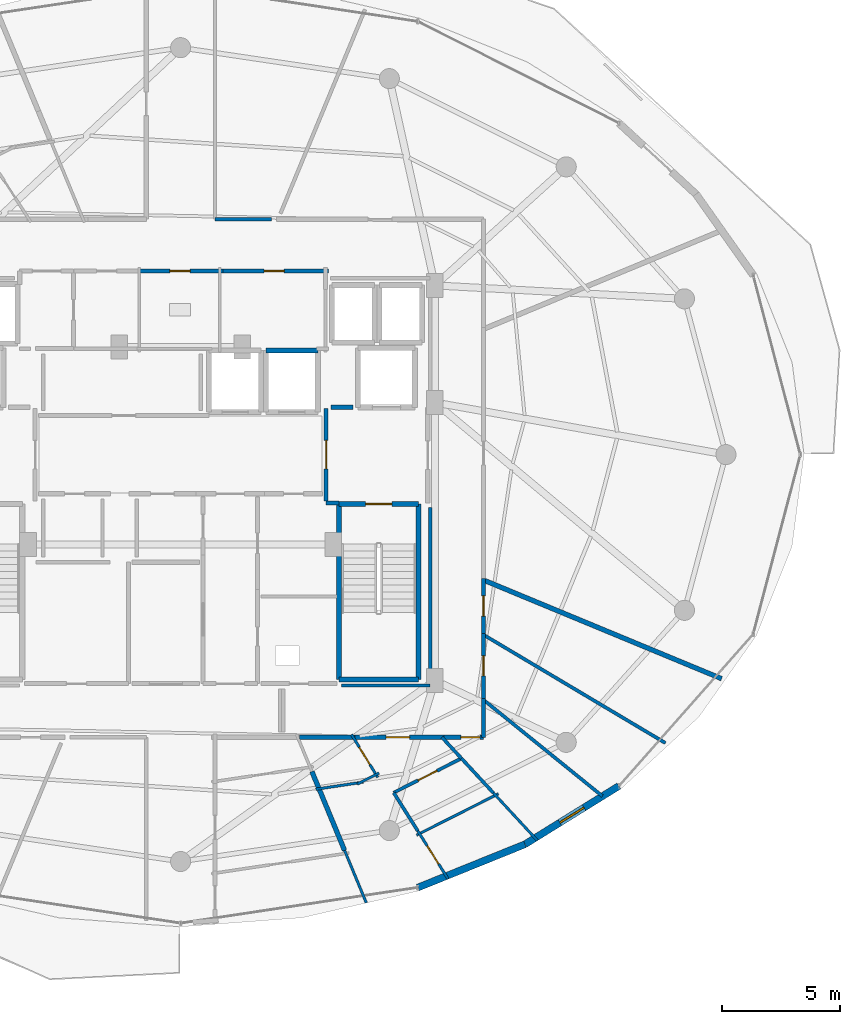
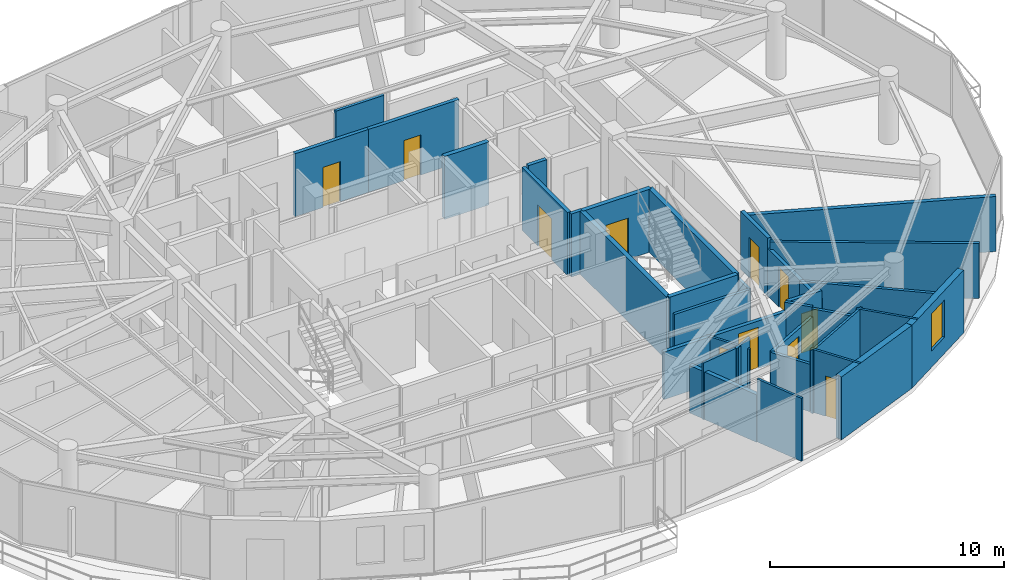
# One storey, part 25 of 30: 36 walls, 11 doors, 1 window, 12 openings.
"""IFC4 building model written with IfcOpenShell, lengths in metres."""

from ifc_helpers import new_model, si_unit, direction, frame, frame_2d, origin, place, context, subcontext, project, spatial, rectangle, extrude, material, layer, layer_set, type_object, element, fill, save


model = new_model("IFC4")

# Units and contexts
model_context = context("Model", 3, precision=1e-05, world=origin(), true_north=direction((0.0, 1.0)))
body_context = subcontext(model_context, "Body", "Model", "MODEL_VIEW")
ifc_project = project(units=[si_unit("LENGTHUNIT", "METRE"), si_unit("AREAUNIT", "SQUARE_METRE"), si_unit("VOLUMEUNIT", "CUBIC_METRE"), si_unit("PLANEANGLEUNIT", "RADIAN"), si_unit("MASSUNIT", "GRAM", prefix="KILO")], contexts=[model_context])

# Site, building, storey
site_placement = place(None, origin())
site = spatial("IfcSite", under=ifc_project, at=site_placement, CompositionType="ELEMENT")
building_placement = place(site_placement, origin())
building = spatial("IfcBuilding", under=site, at=building_placement, Name="Vorneva Point Tower", CompositionType="ELEMENT")
storey_placement = place(building_placement, frame((0.0, 0.0, 252.0)))
storey = spatial("IfcBuildingStorey", under=building, at=storey_placement, Name="L68", CompositionType="ELEMENT", Elevation=252.0)

# Wall
ifc_material_1 = material(Name="Precast concrete B50 (C40/50)", Category="concrete")
ifc_layer_1 = layer(ifc_material_1, 0.300048828125)
ifc_layer_set_1 = layer_set([ifc_layer_1], Name="Precast concrete B50 (C40/50)")
wall_type_1 = type_object("IfcWallType", Name="WL-EXT-300", PredefinedType="STANDARD", material=ifc_layer_set_1)
wall_1_placement = place(storey_placement, frame((48.0263671875, 7.697998046875, 0.0), z_axis=(0.0, 0.0, 1.0), x_axis=(0.927147375511, 0.374696869594, 0.0)))
element("IfcWall", 1, at=wall_1_placement, inside=storey, type_object=wall_type_1, Name="L68 Pale-Metal Facade Spandrel Wall 14.1", PredefinedType="STANDARD", context=body_context, shape_type="SweptSolid", body=[
    extrude(rectangle(XDim=4.885498046875, YDim=0.300048828125, at=frame_2d((2.44287109375, 0.0))), origin(), (0.0, 0.0, 1.0), 3.2900390625),
])

# Wall, opening, window
wall_2_placement = place(storey_placement, frame((52.555908203125, 9.528564453125, 0.0), z_axis=(0.0, 0.0, 1.0), x_axis=(0.849702323036, 0.527262707032, 0.0)))
wall_2 = element("IfcWall", 2, at=wall_2_placement, inside=storey, type_object=wall_type_1, Name="L68 Pale-Metal Facade Spandrel Wall 14.2", PredefinedType="STANDARD", context=body_context, shape_type="SweptSolid", body=[
    extrude(rectangle(XDim=4.67236328125, YDim=0.300048828125, at=frame_2d((2.336181640625, 0.0))), origin(), (0.0, 0.0, 1.0), 3.2900390625),
])
opening_1_placement = place(wall_2_placement, frame((1.736328125, 0.0, 0.85009765625)))
opening_1 = element("IfcOpeningElement", 3, at=opening_1_placement, cuts=wall_2, Name="Opening W-04", PredefinedType="OPENING", context=body_context, shape_type="SweptSolid", body=[
    extrude(rectangle(XDim=1.199951171875, YDim=1.949951171875, at=frame_2d((0.60009765625, 0.97509765625))), frame((0.0, 0.1650390625, 0.0), z_axis=(0.0, -1.0, 0.0), x_axis=(1.0, 0.0, 0.0)), (0.0, 0.0, 1.0), 0.329833984375),
])
ifc_material_2 = material(Name="Double low-e laminated glass IGU", Category="glass")
window_type = type_object("IfcWindowType", Name="WN-RES-1200", PartitioningType="SINGLE_PANEL", PredefinedType="WINDOW", material=ifc_material_2)
window_placement = place(opening_1_placement, origin())
window = element("IfcWindow", 4, at=window_placement, inside=storey, type_object=window_type, Name="L68 Dwelling Vision Window 04", OverallHeight=1.949951171875, OverallWidth=1.199951171875, PartitioningType="SINGLE_PANEL", PredefinedType="WINDOW", context=body_context, shape_type="SweptSolid", body=[
    extrude(rectangle(XDim=1.199951171875, YDim=1.949951171875, at=frame_2d((0.60009765625, 0.97509765625))), frame((0.0, 0.030029296875, 0.0), z_axis=(0.0, -1.0, 0.0), x_axis=(1.0, 0.0, 0.0)), (0.0, 0.0, 1.0), 0.06005859375),
])
fill(opening_1, window)

# Wall
ifc_material_3 = material(Name="Fire-rated acoustic gypsum stud partition", Category="gypsum")
ifc_layer_2 = layer(ifc_material_3, 0.110107421875)
ifc_layer_set_2 = layer_set([ifc_layer_2], Name="Fire-rated acoustic gypsum stud partition")
wall_type_2 = type_object("IfcWallType", Name="WL-PART-110", PredefinedType="PARTITIONING", material=ifc_layer_set_2)
wall_3_placement = place(storey_placement, frame((44.929443359375, 9.271240234375, 0.0), z_axis=(0.0, 0.0, 1.0), x_axis=(0.382798716902, -0.923831771665, 0.0)))
element("IfcWall", 5, at=wall_3_placement, inside=storey, type_object=wall_type_2, Name="L68 Interior Partition 108", PredefinedType="PARTITIONING", context=body_context, shape_type="SweptSolid", body=[
    extrude(rectangle(XDim=2.396240234375, YDim=0.110107421875, at=frame_2d((1.1982421875, 0.0))), origin(), (0.0, 0.0, 1.0), 3.2900390625),
])

# Wall, opening, door
wall_4_placement = place(storey_placement, frame((45.22412109375, 14.16943359375, 0.0), z_axis=(0.0, 0.0, 1.0), x_axis=(0.52123627541, -0.853412412141, 0.0)))
wall_4 = element("IfcWall", 6, at=wall_4_placement, inside=storey, type_object=wall_type_2, Name="L68 Interior Partition 111", PredefinedType="PARTITIONING", context=body_context, shape_type="SweptSolid", body=[
    extrude(rectangle(XDim=2.12548828125, YDim=0.110107421875, at=frame_2d((1.062744140625, 0.0))), origin(), (0.0, 0.0, 1.0), 2.48193359375),
])
opening_2_placement = place(wall_4_placement, frame((0.6376953125, 0.0, 0.0)))
opening_2 = element("IfcOpeningElement", 7, at=opening_2_placement, cuts=wall_4, Name="Opening ID-02", PredefinedType="OPENING", context=body_context, shape_type="SweptSolid", body=[
    extrude(rectangle(XDim=0.85009765625, YDim=2.10009765625, at=frame_2d((0.425048828125, 1.050048828125))), frame((0.0, 0.06982421875, 0.0), z_axis=(0.0, -1.0, 0.0), x_axis=(1.0, 0.0, 0.0)), (0.0, 0.0, 1.0), 0.139892578125),
])
ifc_material_4 = material(Name="Engineered oak fire-rated door leaf", Category="wood")
door_type_1 = type_object("IfcDoorType", Name="DR-BATH-850", OperationType="NOTDEFINED", PredefinedType="DOOR", material=ifc_material_4)
door_1_placement = place(opening_2_placement, origin())
door_1 = element("IfcDoor", 8, at=door_1_placement, inside=storey, type_object=door_type_1, Name="L68 Door Living and Dining Room L68-05 / Bathroom L68-05", OperationType="SINGLE_SWING_LEFT", OverallHeight=2.10009765625, OverallWidth=0.85009765625, PredefinedType="DOOR", context=body_context, shape_type="SweptSolid", body=[
    extrude(rectangle(XDim=0.85009765625, YDim=2.10009765625, at=frame_2d((0.425048828125, 1.050048828125))), frame((0.0, 0.02490234375, 0.0), z_axis=(0.0, -1.0, 0.0), x_axis=(1.0, 0.0, 0.0)), (0.0, 0.0, 1.0), 0.050048828125),
])
fill(opening_2, door_1)

# Walls
wall_5_placement = place(storey_placement, frame((46.384033203125, 12.5380859375, 0.0), z_axis=(0.0, 0.0, 1.0), x_axis=(-0.892613755874, -0.450822229737, 0.0)))
element("IfcWall", 9, at=wall_5_placement, inside=storey, type_object=wall_type_2, Name="L68 Interior Partition 112", PredefinedType="PARTITIONING", context=body_context, shape_type="SweptSolid", body=[
    extrude(rectangle(XDim=1.02734375, YDim=0.110107421875, at=frame_2d((0.513671875, 0.0))), origin(), (0.0, 0.0, 1.0), 2.971923828125),
])
wall_6_placement = place(storey_placement, frame((45.73046875, 12.15869140625, 0.0), z_axis=(0.0, 0.0, 1.0), x_axis=(-0.98887923552, -0.148720736812, 0.0)))
element("IfcWall", 10, at=wall_6_placement, inside=storey, type_object=wall_type_2, Name="L68 Interior Partition 113", PredefinedType="PARTITIONING", context=body_context, shape_type="SweptSolid", body=[
    extrude(rectangle(XDim=2.04052734375, YDim=0.110107421875, at=frame_2d((1.020263671875, 0.0))), origin(), (0.0, 0.0, 1.0), 2.971923828125),
])

# Wall, opening, door
wall_7_placement = place(storey_placement, frame((49.302734375, 8.066650390625, 0.0), z_axis=(0.0, 0.0, 1.0), x_axis=(-0.53356042882, 0.845761945702, 0.0)))
wall_7 = element("IfcWall", 11, at=wall_7_placement, inside=storey, type_object=wall_type_2, Name="L68 Interior Partition 114", PredefinedType="PARTITIONING", context=body_context, shape_type="SweptSolid", body=[
    extrude(rectangle(XDim=2.39990234375, YDim=0.110107421875, at=frame_2d((1.199951171875, 0.0))), origin(), (0.0, 0.0, 1.0), 3.2900390625),
])
opening_3_placement = place(wall_7_placement, frame((0.75, 0.0, 0.0)))
opening_3 = element("IfcOpeningElement", 12, at=opening_3_placement, cuts=wall_7, Name="Opening ID-01", PredefinedType="OPENING", context=body_context, shape_type="SweptSolid", body=[
    extrude(rectangle(XDim=0.89990234375, YDim=2.10009765625, at=frame_2d((0.449951171875, 1.050048828125))), frame((0.0, 0.06982421875, 0.0), z_axis=(0.0, -1.0, 0.0), x_axis=(1.0, 0.0, 0.0)), (0.0, 0.0, 1.0), 0.139892578125),
])
door_type_2 = type_object("IfcDoorType", Name="DR-ROOM-900", OperationType="NOTDEFINED", PredefinedType="DOOR", material=ifc_material_4)
door_2_placement = place(opening_3_placement, origin())
door_2 = element("IfcDoor", 13, at=door_2_placement, inside=storey, type_object=door_type_2, Name="L68 Door Living and Dining Room L68-05 / Kitchen L68-05", OperationType="SINGLE_SWING_RIGHT", OverallHeight=2.10009765625, OverallWidth=0.89990234375, PredefinedType="DOOR", context=body_context, shape_type="SweptSolid", body=[
    extrude(rectangle(XDim=0.89990234375, YDim=2.10009765625, at=frame_2d((0.449951171875, 1.050048828125))), frame((0.0, 0.02490234375, 0.0), z_axis=(0.0, -1.0, 0.0), x_axis=(1.0, 0.0, 0.0)), (0.0, 0.0, 1.0), 0.050048828125),
])
fill(opening_3, door_2)

# Walls
wall_8_placement = place(storey_placement, frame((51.43408203125, 11.6640625, 0.0), z_axis=(0.0, 0.0, 1.0), x_axis=(-0.892543730476, -0.450960851059, 0.0)))
element("IfcWall", 14, at=wall_8_placement, inside=storey, type_object=wall_type_2, Name="L68 Interior Partition 118", PredefinedType="PARTITIONING", context=body_context, shape_type="SweptSolid", body=[
    extrude(rectangle(XDim=3.87890625, YDim=0.110107421875, at=frame_2d((1.939453125, 0.0))), origin(), (0.0, 0.0, 1.0), 3.2900390625),
])
wall_9_placement = place(storey_placement, frame((53.076171875, 9.690185546875, 0.0), z_axis=(0.0, 0.0, 1.0), x_axis=(-0.678974823397, 0.734161555241, 0.0)))
element("IfcWall", 15, at=wall_9_placement, inside=storey, type_object=wall_type_2, Name="L68 Interior Partition 119", PredefinedType="PARTITIONING", context=body_context, shape_type="SweptSolid", body=[
    extrude(rectangle(XDim=2.742919921875, YDim=0.110107421875, at=frame_2d((1.37158203125, 0.0))), origin(), (0.0, 0.0, 1.0), 3.2900390625),
])

# Wall, opening, door
ifc_layer_3 = layer(ifc_material_3, 0.139892578125)
ifc_layer_set_3 = layer_set([ifc_layer_3], Name="Fire-rated acoustic gypsum stud partition")
wall_type_3 = type_object("IfcWallType", Name="WL-PART-140", PredefinedType="PARTITIONING", material=ifc_layer_set_3)
wall_10_placement = place(storey_placement, frame((47.006103515625, 11.7099609375, 0.0), z_axis=(0.0, 0.0, 1.0), x_axis=(0.892487089344, 0.451072937955, 0.0)))
wall_10 = element("IfcWall", 16, at=wall_10_placement, inside=storey, type_object=wall_type_3, Name="L68 Interior Partition 115", PredefinedType="PARTITIONING", context=body_context, shape_type="SweptSolid", body=[
    extrude(rectangle(XDim=3.210205078125, YDim=0.139892578125, at=frame_2d((1.60498046875, 0.0))), origin(), (0.0, 0.0, 1.0), 2.48193359375),
])
opening_4_placement = place(wall_10_placement, frame((1.155029296875, 0.0, 0.0)))
opening_4 = element("IfcOpeningElement", 17, at=opening_4_placement, cuts=wall_10, Name="Opening ID-01", PredefinedType="OPENING", context=body_context, shape_type="SweptSolid", body=[
    extrude(rectangle(XDim=0.89990234375, YDim=2.10009765625, at=frame_2d((0.449951171875, 1.050048828125))), frame((0.0, 0.0849609375, 0.0), z_axis=(0.0, -1.0, 0.0), x_axis=(1.0, 0.0, 0.0)), (0.0, 0.0, 1.0), 0.169677734375),
])
door_3_placement = place(opening_4_placement, origin())
door_3 = element("IfcDoor", 18, at=door_3_placement, inside=storey, type_object=door_type_2, Name="L68 Door Living and Dining Room L68-05 / Study Room L68-05", OperationType="SINGLE_SWING_LEFT", OverallHeight=2.10009765625, OverallWidth=0.89990234375, PredefinedType="DOOR", context=body_context, shape_type="SweptSolid", body=[
    extrude(rectangle(XDim=0.89990234375, YDim=2.10009765625, at=frame_2d((0.449951171875, 1.050048828125))), frame((0.0, 0.02490234375, 0.0), z_axis=(0.0, -1.0, 0.0), x_axis=(1.0, 0.0, 0.0)), (0.0, 0.0, 1.0), 0.050048828125),
])
fill(opening_4, door_3)

# Walls
wall_11_placement = place(storey_placement, frame((48.0224609375, 10.096435546875, 0.0), z_axis=(0.0, 0.0, 1.0), x_axis=(-0.532976248943, 0.846130201602, 0.0)))
element("IfcWall", 19, at=wall_11_placement, inside=storey, type_object=wall_type_3, Name="L68 Interior Partition 116", PredefinedType="PARTITIONING", context=body_context, shape_type="SweptSolid", body=[
    extrude(rectangle(XDim=1.906982421875, YDim=0.139892578125, at=frame_2d((0.95361328125, 0.0))), origin(), (0.0, 0.0, 1.0), 2.48193359375),
])
wall_12_placement = place(storey_placement, frame((49.87109375, 13.157958984375, 0.0), z_axis=(0.0, 0.0, 1.0), x_axis=(-0.679047394912, 0.734094432251, 0.0)))
element("IfcWall", 20, at=wall_12_placement, inside=storey, type_object=wall_type_3, Name="L68 Interior Partition 117", PredefinedType="PARTITIONING", context=body_context, shape_type="SweptSolid", body=[
    extrude(rectangle(XDim=1.21533203125, YDim=0.139892578125, at=frame_2d((0.607666015625, 0.0))), origin(), (0.0, 0.0, 1.0), 2.971923828125),
])
wall_13_placement = place(storey_placement, frame((51.214599609375, 11.704345703125, 0.0), z_axis=(0.0, 0.0, 1.0), x_axis=(-0.678746140468, 0.734372982073, 0.0)))
element("IfcWall", 21, at=wall_13_placement, inside=storey, type_object=wall_type_3, Name="L68 Interior Partition 120", PredefinedType="PARTITIONING", context=body_context, shape_type="SweptSolid", body=[
    extrude(rectangle(XDim=1.9794921875, YDim=0.139892578125, at=frame_2d((0.98974609375, 0.0))), origin(), (0.0, 0.0, 1.0), 2.8740234375),
])
wall_14_placement = place(storey_placement, frame((55.827880859375, 11.56298828125, 0.0), z_axis=(0.0, 0.0, 1.0), x_axis=(-0.777103372697, 0.62937298015, 0.0)))
element("IfcWall", 22, at=wall_14_placement, inside=storey, type_object=wall_type_3, Name="L68 Interior Partition 121", PredefinedType="PARTITIONING", context=body_context, shape_type="SweptSolid", body=[
    extrude(rectangle(XDim=6.469970703125, YDim=0.139892578125, at=frame_2d((3.23486328125, 0.0))), origin(), (0.0, 0.0, 1.0), 2.48193359375),
])
wall_15_placement = place(storey_placement, frame((58.492919921875, 13.80810546875, 0.0), z_axis=(0.0, 0.0, 1.0), x_axis=(-0.859400180079, 0.511303560011, 0.0)))
element("IfcWall", 23, at=wall_15_placement, inside=storey, type_object=wall_type_3, Name="L68 Interior Partition 122", PredefinedType="PARTITIONING", context=body_context, shape_type="SweptSolid", body=[
    extrude(rectangle(XDim=8.951416015625, YDim=0.139892578125, at=frame_2d((4.4755859375, 0.0))), origin(), (0.0, 0.0, 1.0), 2.8740234375),
])
wall_16_placement = place(storey_placement, frame((41.841064453125, 35.949951171875, 0.0), z_axis=(0.0, 0.0, 1.0), x_axis=(-1.0, 0.0, 0.0)))
element("IfcWall", 24, at=wall_16_placement, inside=storey, type_object=wall_type_3, Name="L68 Interior Closure Partition 137", PredefinedType="PARTITIONING", context=body_context, shape_type="SweptSolid", body=[
    extrude(rectangle(XDim=2.39111328125, YDim=0.139892578125, at=frame_2d((1.195556640625, 0.0))), origin(), (0.0, 0.0, 1.0), 3.02197265625),
])
wall_17_placement = place(storey_placement, frame((44.804931640625, 16.239990234375, 0.0), z_axis=(0.0, 0.0, 1.0), x_axis=(1.0, 0.0, 0.0)))
element("IfcWall", 25, at=wall_17_placement, inside=storey, type_object=wall_type_3, Name="L68 Interior Closure Partition 140", PredefinedType="PARTITIONING", context=body_context, shape_type="SweptSolid", body=[
    extrude(rectangle(XDim=3.7451171875, YDim=0.139892578125, at=frame_2d((1.87255859375, 0.0))), origin(), (0.0, 0.0, 1.0), 2.48193359375),
])
wall_18_placement = place(storey_placement, frame((48.550048828125, 16.239990234375, 0.0), z_axis=(0.0, 0.0, 1.0), x_axis=(0.0, 1.0, 0.0)))
element("IfcWall", 26, at=wall_18_placement, inside=storey, type_object=wall_type_3, Name="L68 Interior Closure Partition 141", PredefinedType="PARTITIONING", context=body_context, shape_type="SweptSolid", body=[
    extrude(rectangle(XDim=7.513916015625, YDim=0.139892578125, at=frame_2d((3.7568359375, 0.0))), origin(), (0.0, 0.0, 1.0), 2.48193359375),
])

# Wall, opening, door
ifc_material_5 = material(Name="Autoclaved aerated concrete blockwork", Category="masonry")
ifc_layer_4 = layer(ifc_material_5, 0.179931640625)
ifc_layer_set_4 = layer_set([ifc_layer_4], Name="Autoclaved aerated concrete blockwork")
wall_type_4 = type_object("IfcWallType", Name="WL-PART-180", PredefinedType="PARTITIONING", material=ifc_layer_set_4)
wall_19_placement = place(storey_placement, frame((44.14990234375, 27.955078125, 0.0), z_axis=(0.0, 0.0, 1.0), x_axis=(0.0, -1.0, 0.0)))
wall_19 = element("IfcWall", 27, at=wall_19_placement, inside=storey, type_object=wall_type_4, Name="L68 Interior Partition 003", PredefinedType="PARTITIONING", context=body_context, shape_type="SweptSolid", body=[
    extrude(rectangle(XDim=3.91015625, YDim=0.179931640625, at=frame_2d((1.955078125, 0.0))), origin(), (0.0, 0.0, 1.0), 3.2900390625),
])
opening_5_placement = place(wall_19_placement, frame((1.35498046875, 0.0, 0.0)))
opening_5 = element("IfcOpeningElement", 28, at=opening_5_placement, cuts=wall_19, Name="Opening FD-02", PredefinedType="OPENING", context=body_context, shape_type="SweptSolid", body=[
    extrude(rectangle(XDim=1.199951171875, YDim=2.14990234375, at=frame_2d((0.60009765625, 1.074951171875))), frame((0.0, 0.10498046875, 0.0), z_axis=(0.0, -1.0, 0.0), x_axis=(1.0, 0.0, 0.0)), (0.0, 0.0, 1.0), 0.209716796875),
])
ifc_material_6 = material(Name="Fire-rated powder-coated steel", Category="steel")
door_type_3 = type_object("IfcDoorType", Name="DR-FFL-1200", OperationType="NOTDEFINED", PredefinedType="DOOR", material=ifc_material_6)
door_4_placement = place(opening_5_placement, origin())
door_4 = element("IfcDoor", 29, at=door_4_placement, inside=storey, type_object=door_type_3, Name="L68 Door East Firefighting Lobby / Central Lift Lobby", OperationType="SINGLE_SWING_LEFT", OverallHeight=2.14990234375, OverallWidth=1.199951171875, PredefinedType="DOOR", context=body_context, shape_type="SweptSolid", body=[
    extrude(rectangle(XDim=1.199951171875, YDim=2.14990234375, at=frame_2d((0.60009765625, 1.074951171875))), frame((0.0, 0.02490234375, 0.0), z_axis=(0.0, -1.0, 0.0), x_axis=(1.0, 0.0, 0.0)), (0.0, 0.0, 1.0), 0.050048828125),
])
fill(opening_5, door_4)

# Wall
wall_20_placement = place(storey_placement, frame((44.14990234375, 23.949951171875, 0.0), z_axis=(0.0, 0.0, 1.0), x_axis=(1.0, 0.0, 0.0)))
element("IfcWall", 30, at=wall_20_placement, inside=storey, type_object=wall_type_4, Name="L68 Interior Partition 004", PredefinedType="PARTITIONING", context=body_context, shape_type="SweptSolid", body=[
    extrude(rectangle(XDim=0.5400390625, YDim=0.179931640625, at=frame_2d((0.27001953125, 0.0))), origin(), (0.0, 0.0, 1.0), 3.2900390625),
])

# Wall, opening, door
wall_21_placement = place(storey_placement, frame((39.7900390625, 33.760009765625, 0.0), z_axis=(0.0, 0.0, 1.0), x_axis=(-1.0, 0.0, 0.0)))
wall_21 = element("IfcWall", 31, at=wall_21_placement, inside=storey, type_object=wall_type_4, Name="L68 Interior Partition 027", PredefinedType="PARTITIONING", context=body_context, shape_type="SweptSolid", body=[
    extrude(rectangle(XDim=3.630126953125, YDim=0.179931640625, at=frame_2d((1.81494140625, 0.0))), origin(), (0.0, 0.0, 1.0), 3.2900390625),
])
opening_6_placement = place(wall_21_placement, frame((1.389892578125, 0.0, 0.0)))
opening_6 = element("IfcOpeningElement", 32, at=opening_6_placement, cuts=wall_21, Name="Opening ID-02", PredefinedType="OPENING", context=body_context, shape_type="SweptSolid", body=[
    extrude(rectangle(XDim=0.85009765625, YDim=2.10009765625, at=frame_2d((0.425048828125, 1.050048828125))), frame((0.0, 0.10498046875, 0.0), z_axis=(0.0, -1.0, 0.0), x_axis=(1.0, 0.0, 0.0)), (0.0, 0.0, 1.0), 0.209716796875),
])
door_5_placement = place(opening_6_placement, origin())
door_5 = element("IfcDoor", 33, at=door_5_placement, inside=storey, type_object=door_type_1, Name="L68 Door Accessible WC / L68 Circulation Corridor", OperationType="SINGLE_SWING_LEFT", OverallHeight=2.10009765625, OverallWidth=0.85009765625, PredefinedType="DOOR", context=body_context, shape_type="SweptSolid", body=[
    extrude(rectangle(XDim=0.85009765625, YDim=2.10009765625, at=frame_2d((0.425048828125, 1.050048828125))), frame((0.0, 0.02490234375, 0.0), z_axis=(0.0, -1.0, 0.0), x_axis=(1.0, 0.0, 0.0)), (0.0, 0.0, 1.0), 0.050048828125),
])
fill(opening_6, door_5)

wall_22_placement = place(storey_placement, frame((44.260009765625, 33.760009765625, 0.0), z_axis=(0.0, 0.0, 1.0), x_axis=(-1.0, 0.0, 0.0)))
wall_22 = element("IfcWall", 34, at=wall_22_placement, inside=storey, type_object=wall_type_4, Name="L68 Interior Partition 028", PredefinedType="PARTITIONING", context=body_context, shape_type="SweptSolid", body=[
    extrude(rectangle(XDim=4.610107421875, YDim=0.179931640625, at=frame_2d((2.30517578125, 0.0))), origin(), (0.0, 0.0, 1.0), 3.2900390625),
])
opening_7_placement = place(wall_22_placement, frame((1.8798828125, 0.0, 0.0)))
opening_7 = element("IfcOpeningElement", 35, at=opening_7_placement, cuts=wall_22, Name="Opening ID-02", PredefinedType="OPENING", context=body_context, shape_type="SweptSolid", body=[
    extrude(rectangle(XDim=0.85009765625, YDim=2.10009765625, at=frame_2d((0.425048828125, 1.050048828125))), frame((0.0, 0.10498046875, 0.0), z_axis=(0.0, -1.0, 0.0), x_axis=(1.0, 0.0, 0.0)), (0.0, 0.0, 1.0), 0.209716796875),
])
door_6_placement = place(opening_7_placement, origin())
door_6 = element("IfcDoor", 36, at=door_6_placement, inside=storey, type_object=door_type_1, Name="L68 Door Public WC / L68 Circulation Corridor", OperationType="SINGLE_SWING_RIGHT", OverallHeight=2.10009765625, OverallWidth=0.85009765625, PredefinedType="DOOR", context=body_context, shape_type="SweptSolid", body=[
    extrude(rectangle(XDim=0.85009765625, YDim=2.10009765625, at=frame_2d((0.425048828125, 1.050048828125))), frame((0.0, 0.02490234375, 0.0), z_axis=(0.0, -1.0, 0.0), x_axis=(1.0, 0.0, 0.0)), (0.0, 0.0, 1.0), 0.050048828125),
])
fill(opening_7, door_6)

wall_23_placement = place(storey_placement, frame((45.237060546875, 14.050048828125, 0.0), z_axis=(0.0, 0.0, 1.0), x_axis=(1.0, 0.0, 0.0)))
wall_23 = element("IfcWall", 37, at=wall_23_placement, inside=storey, type_object=wall_type_4, Name="L68 Interior Partition 056", PredefinedType="PARTITIONING", context=body_context, shape_type="SweptSolid", body=[
    extrude(rectangle(XDim=3.890869140625, YDim=0.179931640625, at=frame_2d((1.9453125, 0.0))), origin(), (0.0, 0.0, 1.0), 2.48193359375),
])
opening_8_placement = place(wall_23_placement, frame((1.445556640625, 0.0, 0.0)))
opening_8 = element("IfcOpeningElement", 38, at=opening_8_placement, cuts=wall_23, Name="Opening UD-01", PredefinedType="OPENING", context=body_context, shape_type="SweptSolid", body=[
    extrude(rectangle(XDim=1.0, YDim=2.14990234375, at=frame_2d((0.5, 1.074951171875))), frame((0.0, 0.10498046875, 0.0), z_axis=(0.0, -1.0, 0.0), x_axis=(1.0, 0.0, 0.0)), (0.0, 0.0, 1.0), 0.209716796875),
])
door_type_4 = type_object("IfcDoorType", Name="DR-UNIT-1000", OperationType="NOTDEFINED", PredefinedType="DOOR", material=ifc_material_4)
door_7_placement = place(opening_8_placement, origin())
door_7 = element("IfcDoor", 39, at=door_7_placement, inside=storey, type_object=door_type_4, Name="L68 Door L68 Circulation Corridor / Living and Dining Room L68-05", OperationType="SINGLE_SWING_RIGHT", OverallHeight=2.14990234375, OverallWidth=1.0, PredefinedType="DOOR", context=body_context, shape_type="SweptSolid", body=[
    extrude(rectangle(XDim=1.0, YDim=2.14990234375, at=frame_2d((0.5, 1.074951171875))), frame((0.0, 0.02490234375, 0.0), z_axis=(0.0, -1.0, 0.0), x_axis=(1.0, 0.0, 0.0)), (0.0, 0.0, 1.0), 0.050048828125),
])
fill(opening_8, door_7)

# Wall
wall_24_placement = place(storey_placement, frame((43.014892578125, 14.050048828125, 0.0), z_axis=(0.0, 0.0, 1.0), x_axis=(1.0, 0.0, 0.0)))
element("IfcWall", 40, at=wall_24_placement, inside=storey, type_object=wall_type_4, Name="L68 Interior Partition 057", PredefinedType="PARTITIONING", context=body_context, shape_type="SweptSolid", body=[
    extrude(rectangle(XDim=2.362060546875, YDim=0.179931640625, at=frame_2d((1.18115234375, 0.0))), origin(), (0.0, 0.0, 1.0), 2.48193359375),
])

# Wall, opening, door
wall_25_placement = place(storey_placement, frame((49.1279296875, 14.050048828125, 0.0), z_axis=(0.0, 0.0, 1.0), x_axis=(1.0, 0.0, 0.0)))
wall_25 = element("IfcWall", 41, at=wall_25_placement, inside=storey, type_object=wall_type_4, Name="L68 Interior Partition 058", PredefinedType="PARTITIONING", context=body_context, shape_type="SweptSolid", body=[
    extrude(rectangle(XDim=1.672119140625, YDim=0.179931640625, at=frame_2d((0.8359375, 0.0))), origin(), (0.0, 0.0, 1.0), 2.971923828125),
])
opening_9_placement = place(wall_25_placement, frame((0.716064453125, 0.0, 0.0)))
opening_9 = element("IfcOpeningElement", 42, at=opening_9_placement, cuts=wall_25, Name="Opening RD-01", PredefinedType="OPENING", context=body_context, shape_type="SweptSolid", body=[
    extrude(rectangle(XDim=0.800048828125, YDim=2.050048828125, at=frame_2d((0.39990234375, 1.02490234375))), frame((0.0, 0.10498046875, 0.0), z_axis=(0.0, -1.0, 0.0), x_axis=(1.0, 0.0, 0.0)), (0.0, 0.0, 1.0), 0.209716796875),
])
door_type_5 = type_object("IfcDoorType", Name="DR-RSR-800", OperationType="SINGLE_SWING_LEFT", PredefinedType="DOOR", material=ifc_material_6)
door_8_placement = place(opening_9_placement, origin())
door_8 = element("IfcDoor", 43, at=door_8_placement, inside=storey, type_object=door_type_5, Name="L68 Access Door L68 Circulation Corridor", OperationType="SINGLE_SWING_RIGHT", OverallHeight=2.050048828125, OverallWidth=0.800048828125, PredefinedType="DOOR", context=body_context, shape_type="SweptSolid", body=[
    extrude(rectangle(XDim=0.800048828125, YDim=2.050048828125, at=frame_2d((0.39990234375, 1.02490234375))), frame((0.0, 0.02490234375, 0.0), z_axis=(0.0, -1.0, 0.0), x_axis=(1.0, 0.0, 0.0)), (0.0, 0.0, 1.0), 0.050048828125),
])
fill(opening_9, door_8)

# Wall
wall_26_placement = place(storey_placement, frame((50.800048828125, 14.050048828125, 0.0), z_axis=(0.0, 0.0, 1.0), x_axis=(0.0, 1.0, 0.0)))
element("IfcWall", 44, at=wall_26_placement, inside=storey, type_object=wall_type_4, Name="L68 Interior Partition 059", PredefinedType="PARTITIONING", context=body_context, shape_type="SweptSolid", body=[
    extrude(rectangle(XDim=1.64501953125, YDim=0.179931640625, at=frame_2d((0.822509765625, 0.0))), origin(), (0.0, 0.0, 1.0), 2.48193359375),
])

# Wall, opening, door
wall_27_placement = place(storey_placement, frame((50.800048828125, 15.695068359375, 0.0), z_axis=(0.0, 0.0, 1.0), x_axis=(0.0, 1.0, 0.0)))
wall_27 = element("IfcWall", 45, at=wall_27_placement, inside=storey, type_object=wall_type_4, Name="L68 Interior Partition 060", PredefinedType="PARTITIONING", context=body_context, shape_type="SweptSolid", body=[
    extrude(rectangle(XDim=2.75, YDim=0.179931640625, at=frame_2d((1.375, 0.0))), origin(), (0.0, 0.0, 1.0), 2.48193359375),
])
opening_10_placement = place(wall_27_placement, frame((0.949951171875, 0.0, 0.0)))
opening_10 = element("IfcOpeningElement", 46, at=opening_10_placement, cuts=wall_27, Name="Opening ID-02", PredefinedType="OPENING", context=body_context, shape_type="SweptSolid", body=[
    extrude(rectangle(XDim=0.85009765625, YDim=2.10009765625, at=frame_2d((0.425048828125, 1.050048828125))), frame((0.0, 0.10498046875, 0.0), z_axis=(0.0, -1.0, 0.0), x_axis=(1.0, 0.0, 0.0)), (0.0, 0.0, 1.0), 0.209716796875),
])
door_9_placement = place(opening_10_placement, origin())
door_9 = element("IfcDoor", 47, at=door_9_placement, inside=storey, type_object=door_type_1, Name="L68 Access Door L68 Circulation Corridor", OperationType="SINGLE_SWING_LEFT", OverallHeight=2.10009765625, OverallWidth=0.85009765625, PredefinedType="DOOR", context=body_context, shape_type="SweptSolid", body=[
    extrude(rectangle(XDim=0.85009765625, YDim=2.10009765625, at=frame_2d((0.425048828125, 1.050048828125))), frame((0.0, 0.02490234375, 0.0), z_axis=(0.0, -1.0, 0.0), x_axis=(1.0, 0.0, 0.0)), (0.0, 0.0, 1.0), 0.050048828125),
])
fill(opening_10, door_9)

wall_28_placement = place(storey_placement, frame((50.800048828125, 18.445068359375, 0.0), z_axis=(0.0, 0.0, 1.0), x_axis=(0.0, 1.0, 0.0)))
wall_28 = element("IfcWall", 48, at=wall_28_placement, inside=storey, type_object=wall_type_4, Name="L68 Interior Partition 061", PredefinedType="PARTITIONING", context=body_context, shape_type="SweptSolid", body=[
    extrude(rectangle(XDim=2.31298828125, YDim=0.179931640625, at=frame_2d((1.156494140625, 0.0))), origin(), (0.0, 0.0, 1.0), 3.02197265625),
])
opening_11_placement = place(wall_28_placement, frame((0.7314453125, 0.0, 0.0)))
opening_11 = element("IfcOpeningElement", 49, at=opening_11_placement, cuts=wall_28, Name="Opening ID-02", PredefinedType="OPENING", context=body_context, shape_type="SweptSolid", body=[
    extrude(rectangle(XDim=0.85009765625, YDim=2.10009765625, at=frame_2d((0.425048828125, 1.050048828125))), frame((0.0, 0.10498046875, 0.0), z_axis=(0.0, -1.0, 0.0), x_axis=(1.0, 0.0, 0.0)), (0.0, 0.0, 1.0), 0.209716796875),
])
door_10_placement = place(opening_11_placement, origin())
door_10 = element("IfcDoor", 50, at=door_10_placement, inside=storey, type_object=door_type_1, Name="L68 Access Door L68 Circulation Corridor", OperationType="SINGLE_SWING_RIGHT", OverallHeight=2.10009765625, OverallWidth=0.85009765625, PredefinedType="DOOR", context=body_context, shape_type="SweptSolid", body=[
    extrude(rectangle(XDim=0.85009765625, YDim=2.10009765625, at=frame_2d((0.425048828125, 1.050048828125))), frame((0.0, 0.02490234375, 0.0), z_axis=(0.0, -1.0, 0.0), x_axis=(1.0, 0.0, 0.0)), (0.0, 0.0, 1.0), 0.050048828125),
])
fill(opening_11, door_10)

# Walls
wall_29_placement = place(storey_placement, frame((45.280029296875, 28.0, 0.0), z_axis=(0.0, 0.0, 1.0), x_axis=(-1.0, 0.0, 0.0)))
element("IfcWall", 51, at=wall_29_placement, inside=storey, type_object=wall_type_4, Name="L68 Interior Closure Partition 126", PredefinedType="PARTITIONING", context=body_context, shape_type="SweptSolid", body=[
    extrude(rectangle(XDim=0.9150390625, YDim=0.179931640625, at=frame_2d((0.45751953125, 0.0))), origin(), (0.0, 0.0, 1.0), 3.2900390625),
])
ifc_layer_5 = layer(ifc_material_5, 0.199951171875)
ifc_layer_set_5 = layer_set([ifc_layer_5], Name="Autoclaved aerated concrete blockwork")
wall_type_5 = type_object("IfcWallType", Name="WL-PART-200", PredefinedType="PARTITIONING", material=ifc_layer_set_5)
wall_30_placement = place(storey_placement, frame((44.9296875, 9.271484375, 0.0), z_axis=(0.0, 0.0, 1.0), x_axis=(-0.382744455498, 0.923854253541, 0.0)))
element("IfcWall", 52, at=wall_30_placement, inside=storey, type_object=wall_type_5, Name="L68 Interior Partition 110", PredefinedType="PARTITIONING", context=body_context, shape_type="SweptSolid", body=[
    extrude(rectangle(XDim=3.60595703125, YDim=0.199951171875, at=frame_2d((1.802978515625, 0.0))), origin(), (0.0, 0.0, 1.0), 2.48193359375),
])
wall_31_placement = place(storey_placement, frame((60.866943359375, 16.528076171875, 0.0), z_axis=(0.0, 0.0, 1.0), x_axis=(-0.923877013663, 0.382689513347, 0.0)))
element("IfcWall", 53, at=wall_31_placement, inside=storey, type_object=wall_type_5, Name="L68 Interior Partition 123", PredefinedType="PARTITIONING", context=body_context, shape_type="SweptSolid", body=[
    extrude(rectangle(XDim=10.896240234375, YDim=0.199951171875, at=frame_2d((5.4482421875, 0.0))), origin(), (0.0, 0.0, 1.0), 2.8740234375),
])

# Wall, opening, door
ifc_material_7 = material(Name="Concrete B50 (C40/50)", Category="concrete")
ifc_layer_6 = layer(ifc_material_7, 0.219970703125)
ifc_layer_set_6 = layer_set([ifc_layer_6], Name="Concrete B50 (C40/50)")
wall_type_6 = type_object("IfcWallType", Name="WL-SHFT-220", PredefinedType="SOLIDWALL", material=ifc_layer_set_6)
wall_32_placement = place(storey_placement, frame((44.68994140625, 23.909912109375, 0.0), z_axis=(0.0, 0.0, 1.0), x_axis=(1.0, 0.0, 0.0)))
wall_32 = element("IfcWall", 54, at=wall_32_placement, inside=storey, type_object=wall_type_6, Name="L68 Exit Stair ST2 Shaft Wall near", PredefinedType="SOLIDWALL", context=body_context, shape_type="SweptSolid", body=[
    extrude(rectangle(XDim=3.3701171875, YDim=0.219970703125, at=frame_2d((1.68505859375, 0.0))), origin(), (0.0, 0.0, 1.0), 3.2900390625),
])
opening_12_placement = place(wall_32_placement, frame((1.135009765625, 0.0, 0.0)))
opening_12 = element("IfcOpeningElement", 55, at=opening_12_placement, cuts=wall_32, Name="Opening FD-01", PredefinedType="OPENING", context=body_context, shape_type="SweptSolid", body=[
    extrude(rectangle(XDim=1.10009765625, YDim=2.14990234375, at=frame_2d((0.550048828125, 1.074951171875))), frame((0.0, 0.125, 0.0), z_axis=(0.0, -1.0, 0.0), x_axis=(1.0, 0.0, 0.0)), (0.0, 0.0, 1.0), 0.249755859375),
])
door_type_6 = type_object("IfcDoorType", Name="DR-STAIR-1100", OperationType="NOTDEFINED", PredefinedType="DOOR", material=ifc_material_6)
door_11_placement = place(opening_12_placement, origin())
door_11 = element("IfcDoor", 56, at=door_11_placement, inside=storey, type_object=door_type_6, Name="L68 Exit Stair ST2 Fire Door", OperationType="SINGLE_SWING_LEFT", OverallHeight=2.14990234375, OverallWidth=1.10009765625, PredefinedType="DOOR", context=body_context, shape_type="SweptSolid", body=[
    extrude(rectangle(XDim=1.10009765625, YDim=2.14990234375, at=frame_2d((0.550048828125, 1.074951171875))), frame((0.0, 0.02490234375, 0.0), z_axis=(0.0, -1.0, 0.0), x_axis=(1.0, 0.0, 0.0)), (0.0, 0.0, 1.0), 0.050048828125),
])
fill(opening_12, door_11)

# Walls
wall_33_placement = place(storey_placement, frame((48.06005859375, 23.909912109375, 0.0), z_axis=(0.0, 0.0, 1.0), x_axis=(0.0, -1.0, 0.0)))
element("IfcWall", 57, at=wall_33_placement, inside=storey, type_object=wall_type_6, Name="L68 Exit Stair ST2 Shaft Wall right", PredefinedType="SOLIDWALL", context=body_context, shape_type="SweptSolid", body=[
    extrude(rectangle(XDim=7.419921875, YDim=0.219970703125, at=frame_2d((3.7099609375, 0.0))), origin(), (0.0, 0.0, 1.0), 3.2900390625),
])
wall_34_placement = place(storey_placement, frame((48.06005859375, 16.489990234375, 0.0), z_axis=(0.0, 0.0, 1.0), x_axis=(-1.0, 0.0, 0.0)))
element("IfcWall", 58, at=wall_34_placement, inside=storey, type_object=wall_type_6, Name="L68 Exit Stair ST2 Shaft Wall far", PredefinedType="SOLIDWALL", context=body_context, shape_type="SweptSolid", body=[
    extrude(rectangle(XDim=3.3701171875, YDim=0.219970703125, at=frame_2d((1.68505859375, 0.0))), origin(), (0.0, 0.0, 1.0), 3.2900390625),
])
wall_35_placement = place(storey_placement, frame((44.68994140625, 16.489990234375, 0.0), z_axis=(0.0, 0.0, 1.0), x_axis=(0.0, 1.0, 0.0)))
element("IfcWall", 59, at=wall_35_placement, inside=storey, type_object=wall_type_6, Name="L68 Exit Stair ST2 Shaft Wall left", PredefinedType="SOLIDWALL", context=body_context, shape_type="SweptSolid", body=[
    extrude(rectangle(XDim=7.419921875, YDim=0.219970703125, at=frame_2d((3.7099609375, 0.0))), origin(), (0.0, 0.0, 1.0), 3.2900390625),
])
wall_36_placement = place(storey_placement, frame((43.800048828125, 30.39990234375, 0.0), z_axis=(0.0, 0.0, 1.0), x_axis=(-1.0, 0.0, 0.0)))
element("IfcWall", 60, at=wall_36_placement, inside=storey, type_object=wall_type_6, Name="L68 Lift PL8 Shaft Wall +Y", PredefinedType="SOLIDWALL", context=body_context, shape_type="SweptSolid", body=[
    extrude(rectangle(XDim=2.199951171875, YDim=0.219970703125, at=frame_2d((1.10009765625, 0.0))), origin(), (0.0, 0.0, 1.0), 3.2900390625),
])

save(model, "model.ifc")
